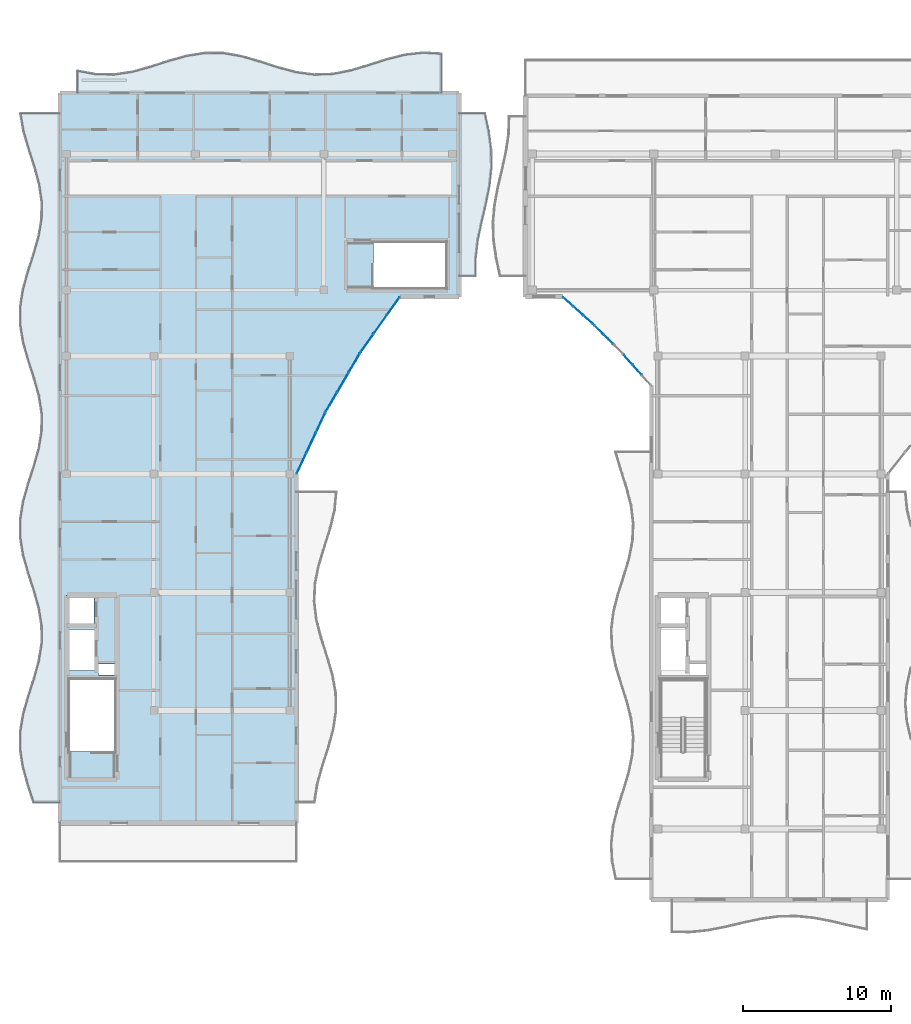
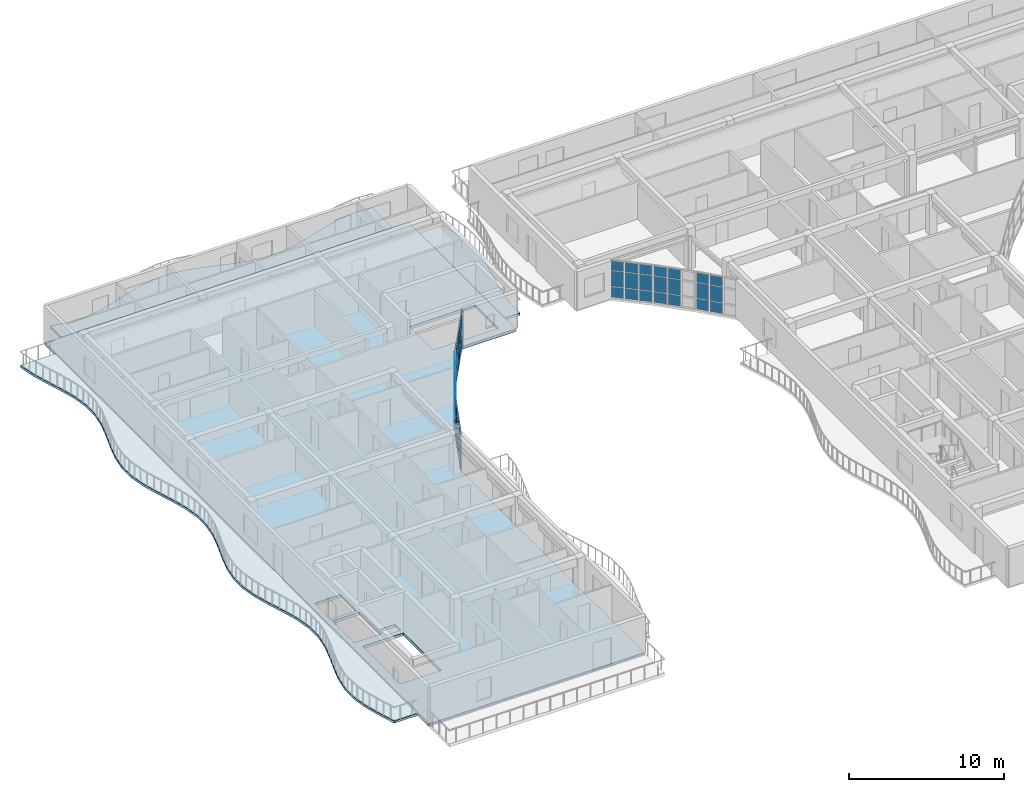
# One storey, part 23 of 68: 48 plates, 4 slabs, 6 elements without a shape of their own.
"""IFC4 building model written with IfcOpenShell, lengths in metres."""

from ifc_helpers import new_model, si_unit, direction, frame, origin, origin_2d, place, context, subcontext, project, spatial, polyline, rectangle, outline, extrude, material, layer, layer_set, type_object, element, aggregate, save


model = new_model("IFC4")

# Units and contexts
model_context = context("Model", 3, precision=1e-05, world=origin(), true_north=direction((0.0, 1.0)))
body_context = subcontext(model_context, "Body", "Model", "MODEL_VIEW")
ifc_project = project(units=[si_unit("LENGTHUNIT", "METRE"), si_unit("AREAUNIT", "SQUARE_METRE"), si_unit("VOLUMEUNIT", "CUBIC_METRE"), si_unit("PLANEANGLEUNIT", "RADIAN"), si_unit("MASSUNIT", "GRAM", prefix="KILO")], contexts=[model_context])

# Site, building, storey
site_placement = place(None, origin())
site = spatial("IfcSite", under=ifc_project, at=site_placement, CompositionType="ELEMENT")
building_placement = place(site_placement, origin())
building = spatial("IfcBuilding", under=site, at=building_placement, Name="Keldmere Railside Commons", CompositionType="ELEMENT")
storey_placement = place(building_placement, frame((0.0, 0.0, 23.360107421875)))
storey = spatial("IfcBuildingStorey", under=building, at=storey_placement, Name="L07", CompositionType="ELEMENT", Elevation=23.360107421875)

# Curtain wall, plates
ifc_material_1 = material(Name="Thermally Broken Aluminium", Category="aluminium")
ifc_layer_1 = layer(ifc_material_1, 0.159912109375, Name="Court Chord Wintergarden CW 4800x2850")
ifc_layer_set_1 = layer_set([ifc_layer_1], Name="Thermally Broken Aluminium")
curtain_wall_type_1 = type_object("IfcCurtainWallType", Name="Court Chord Wintergarden CW 4800x2850", PredefinedType="NOTDEFINED", material=ifc_layer_set_1)
curtain_wall_1_placement = place(storey_placement, origin())
curtain_wall_1 = element("IfcCurtainWall", 1, at=curtain_wall_1_placement, inside=storey, type_object=curtain_wall_type_1, Name="CW-12 CW-L07-022", PredefinedType="NOTDEFINED")
ifc_material_2 = material(Name="Insulated Aluminium Spandrel Panel", Category="aluminium")
ifc_layer_2 = layer(ifc_material_2, 0.0439453125, Name="Insulated Ocher Spandrel Panel 44")
ifc_layer_set_2 = layer_set([ifc_layer_2], Name="Insulated Aluminium Spandrel Panel")
plate_type_1 = type_object("IfcPlateType", Name="Insulated Ocher Spandrel Panel 44", PredefinedType="CURTAIN_PANEL", material=ifc_layer_set_2)
plate_1_placement = place(storey_placement, frame((25.636474609375, 91.48779296875, 0.06494140625), z_axis=(0.0, 0.0, 1.0), x_axis=(-0.424759442264, -0.905306255478, 0.0)))
plate_1 = element("IfcPlate", 2, at=plate_1_placement, type_object=plate_type_1, Name="CW-12 panel 1.1", PredefinedType="CURTAIN_PANEL", context=body_context, shape_type="SweptSolid", body=[
    extrude(rectangle(XDim=1.449951171875, YDim=0.0439453125, at=origin_2d()), origin(), (0.0, 0.0, 1.0), 0.802490234375),
])
plate_2_placement = place(storey_placement, frame((25.636474609375, 91.48779296875, 0.932373046875), z_axis=(0.0, 0.0, 1.0), x_axis=(-0.424759442264, -0.905306255478, 0.0)))
plate_2 = element("IfcPlate", 3, at=plate_2_placement, type_object=plate_type_1, Name="CW-12 panel 1.2", PredefinedType="CURTAIN_PANEL", context=body_context, shape_type="SweptSolid", body=[
    extrude(rectangle(XDim=1.449951171875, YDim=0.0439453125, at=origin_2d()), origin(), (0.0, 0.0, 1.0), 1.18505859375),
])
plate_3_placement = place(storey_placement, frame((25.636474609375, 91.48779296875, 2.182373046875), z_axis=(0.0, 0.0, 1.0), x_axis=(-0.424759442264, -0.905306255478, 0.0)))
plate_3 = element("IfcPlate", 4, at=plate_3_placement, type_object=plate_type_1, Name="CW-12 panel 1.3", PredefinedType="CURTAIN_PANEL", context=body_context, shape_type="SweptSolid", body=[
    extrude(rectangle(XDim=1.449951171875, YDim=0.0439453125, at=origin_2d()), origin(), (0.0, 0.0, 1.0), 0.732421875),
])
plate_4_placement = place(storey_placement, frame((24.986083984375, 90.1015625, 0.06494140625), z_axis=(0.0, 0.0, 1.0), x_axis=(-0.424759442264, -0.905306255478, 0.0)))
plate_4 = element("IfcPlate", 5, at=plate_4_placement, type_object=plate_type_1, Name="CW-12 panel 2.1", PredefinedType="CURTAIN_PANEL", context=body_context, shape_type="SweptSolid", body=[
    extrude(rectangle(XDim=1.482421875, YDim=0.0439453125, at=origin_2d()), origin(), (0.0, 0.0, 1.0), 0.802490234375),
])
plate_5_placement = place(storey_placement, frame((24.986083984375, 90.1015625, 0.932373046875), z_axis=(0.0, 0.0, 1.0), x_axis=(-0.424759442264, -0.905306255478, 0.0)))
plate_5 = element("IfcPlate", 6, at=plate_5_placement, type_object=plate_type_1, Name="CW-12 panel 2.2", PredefinedType="CURTAIN_PANEL", context=body_context, shape_type="SweptSolid", body=[
    extrude(rectangle(XDim=1.482421875, YDim=0.0439453125, at=origin_2d()), origin(), (0.0, 0.0, 1.0), 1.18505859375),
])
plate_6_placement = place(storey_placement, frame((24.986083984375, 90.1015625, 2.182373046875), z_axis=(0.0, 0.0, 1.0), x_axis=(-0.424759442264, -0.905306255478, 0.0)))
plate_6 = element("IfcPlate", 7, at=plate_6_placement, type_object=plate_type_1, Name="CW-12 panel 2.3", PredefinedType="CURTAIN_PANEL", context=body_context, shape_type="SweptSolid", body=[
    extrude(rectangle(XDim=1.482421875, YDim=0.0439453125, at=origin_2d()), origin(), (0.0, 0.0, 1.0), 0.732421875),
])
plate_7_placement = place(storey_placement, frame((24.33544921875, 88.71533203125, 0.06494140625), z_axis=(0.0, 0.0, 1.0), x_axis=(-0.424759442264, -0.905306255478, 0.0)))
plate_7 = element("IfcPlate", 8, at=plate_7_placement, type_object=plate_type_1, Name="CW-12 panel 3.1", PredefinedType="CURTAIN_PANEL", context=body_context, shape_type="SweptSolid", body=[
    extrude(rectangle(XDim=1.449951171875, YDim=0.0439453125, at=origin_2d()), origin(), (0.0, 0.0, 1.0), 0.802490234375),
])
plate_8_placement = place(storey_placement, frame((24.33544921875, 88.71533203125, 0.932373046875), z_axis=(0.0, 0.0, 1.0), x_axis=(-0.424759442264, -0.905306255478, 0.0)))
plate_8 = element("IfcPlate", 9, at=plate_8_placement, type_object=plate_type_1, Name="CW-12 panel 3.2", PredefinedType="CURTAIN_PANEL", context=body_context, shape_type="SweptSolid", body=[
    extrude(rectangle(XDim=1.449951171875, YDim=0.0439453125, at=origin_2d()), origin(), (0.0, 0.0, 1.0), 1.18505859375),
])
plate_9_placement = place(storey_placement, frame((24.33544921875, 88.71533203125, 2.182373046875), z_axis=(0.0, 0.0, 1.0), x_axis=(-0.424759442264, -0.905306255478, 0.0)))
plate_9 = element("IfcPlate", 10, at=plate_9_placement, type_object=plate_type_1, Name="CW-12 panel 3.3", PredefinedType="CURTAIN_PANEL", context=body_context, shape_type="SweptSolid", body=[
    extrude(rectangle(XDim=1.449951171875, YDim=0.0439453125, at=origin_2d()), origin(), (0.0, 0.0, 1.0), 0.732421875),
])
aggregate(curtain_wall_1, [plate_1, plate_2, plate_3, plate_4, plate_5, plate_6, plate_7, plate_8, plate_9])

curtain_wall_2_placement = place(storey_placement, origin())
curtain_wall_2 = element("IfcCurtainWall", 11, at=curtain_wall_2_placement, inside=storey, type_object=curtain_wall_type_1, Name="CW-12 CW-L07-024", PredefinedType="NOTDEFINED")
plate_10_placement = place(storey_placement, frame((30.54248046875, 99.355712890625, 0.06494140625), z_axis=(0.0, 0.0, 1.0), x_axis=(-0.578913327753, -0.815389084395, 0.0)))
plate_10 = element("IfcPlate", 12, at=plate_10_placement, type_object=plate_type_1, Name="CW-12 panel 1.1", PredefinedType="CURTAIN_PANEL", context=body_context, shape_type="SweptSolid", body=[
    extrude(rectangle(XDim=1.4501953125, YDim=0.0439453125, at=origin_2d()), origin(), (0.0, 0.0, 1.0), 0.802490234375),
])
plate_11_placement = place(storey_placement, frame((30.54248046875, 99.355712890625, 0.932373046875), z_axis=(0.0, 0.0, 1.0), x_axis=(-0.578913327753, -0.815389084395, 0.0)))
plate_11 = element("IfcPlate", 13, at=plate_11_placement, type_object=plate_type_1, Name="CW-12 panel 1.2", PredefinedType="CURTAIN_PANEL", context=body_context, shape_type="SweptSolid", body=[
    extrude(rectangle(XDim=1.4501953125, YDim=0.0439453125, at=origin_2d()), origin(), (0.0, 0.0, 1.0), 1.18505859375),
])
plate_12_placement = place(storey_placement, frame((30.54248046875, 99.355712890625, 2.182373046875), z_axis=(0.0, 0.0, 1.0), x_axis=(-0.578913327753, -0.815389084395, 0.0)))
plate_12 = element("IfcPlate", 14, at=plate_12_placement, type_object=plate_type_1, Name="CW-12 panel 1.3", PredefinedType="CURTAIN_PANEL", context=body_context, shape_type="SweptSolid", body=[
    extrude(rectangle(XDim=1.4501953125, YDim=0.0439453125, at=origin_2d()), origin(), (0.0, 0.0, 1.0), 0.732421875),
])
plate_13_placement = place(storey_placement, frame((29.656005859375, 98.10693359375, 0.06494140625), z_axis=(0.0, 0.0, 1.0), x_axis=(-0.578913327753, -0.815389084395, 0.0)))
plate_13 = element("IfcPlate", 15, at=plate_13_placement, type_object=plate_type_1, Name="CW-12 panel 2.1", PredefinedType="CURTAIN_PANEL", context=body_context, shape_type="SweptSolid", body=[
    extrude(rectangle(XDim=1.482666015625, YDim=0.0439453125, at=origin_2d()), origin(), (0.0, 0.0, 1.0), 0.802490234375),
])
plate_14_placement = place(storey_placement, frame((29.656005859375, 98.10693359375, 0.932373046875), z_axis=(0.0, 0.0, 1.0), x_axis=(-0.578913327753, -0.815389084395, 0.0)))
plate_14 = element("IfcPlate", 16, at=plate_14_placement, type_object=plate_type_1, Name="CW-12 panel 2.2", PredefinedType="CURTAIN_PANEL", context=body_context, shape_type="SweptSolid", body=[
    extrude(rectangle(XDim=1.482666015625, YDim=0.0439453125, at=origin_2d()), origin(), (0.0, 0.0, 1.0), 1.18505859375),
])
plate_15_placement = place(storey_placement, frame((29.656005859375, 98.10693359375, 2.182373046875), z_axis=(0.0, 0.0, 1.0), x_axis=(-0.578913327753, -0.815389084395, 0.0)))
plate_15 = element("IfcPlate", 17, at=plate_15_placement, type_object=plate_type_1, Name="CW-12 panel 2.3", PredefinedType="CURTAIN_PANEL", context=body_context, shape_type="SweptSolid", body=[
    extrude(rectangle(XDim=1.482666015625, YDim=0.0439453125, at=origin_2d()), origin(), (0.0, 0.0, 1.0), 0.732421875),
])
plate_16_placement = place(storey_placement, frame((28.769287109375, 96.858154296875, 0.06494140625), z_axis=(0.0, 0.0, 1.0), x_axis=(-0.578913327753, -0.815389084395, 0.0)))
plate_16 = element("IfcPlate", 18, at=plate_16_placement, type_object=plate_type_1, Name="CW-12 panel 3.1", PredefinedType="CURTAIN_PANEL", context=body_context, shape_type="SweptSolid", body=[
    extrude(rectangle(XDim=1.4501953125, YDim=0.0439453125, at=origin_2d()), origin(), (0.0, 0.0, 1.0), 0.802490234375),
])
plate_17_placement = place(storey_placement, frame((28.769287109375, 96.858154296875, 0.932373046875), z_axis=(0.0, 0.0, 1.0), x_axis=(-0.578913327753, -0.815389084395, 0.0)))
plate_17 = element("IfcPlate", 19, at=plate_17_placement, type_object=plate_type_1, Name="CW-12 panel 3.2", PredefinedType="CURTAIN_PANEL", context=body_context, shape_type="SweptSolid", body=[
    extrude(rectangle(XDim=1.4501953125, YDim=0.0439453125, at=origin_2d()), origin(), (0.0, 0.0, 1.0), 1.18505859375),
])
plate_18_placement = place(storey_placement, frame((28.769287109375, 96.858154296875, 2.182373046875), z_axis=(0.0, 0.0, 1.0), x_axis=(-0.578913327753, -0.815389084395, 0.0)))
plate_18 = element("IfcPlate", 20, at=plate_18_placement, type_object=plate_type_1, Name="CW-12 panel 3.3", PredefinedType="CURTAIN_PANEL", context=body_context, shape_type="SweptSolid", body=[
    extrude(rectangle(XDim=1.4501953125, YDim=0.0439453125, at=origin_2d()), origin(), (0.0, 0.0, 1.0), 0.732421875),
])
aggregate(curtain_wall_2, [plate_10, plate_11, plate_12, plate_13, plate_14, plate_15, plate_16, plate_17, plate_18])

curtain_wall_3_placement = place(storey_placement, origin())
curtain_wall_3 = element("IfcCurtainWall", 21, at=curtain_wall_3_placement, inside=storey, type_object=curtain_wall_type_1, Name="CW-12 CW-L07-070", PredefinedType="NOTDEFINED")
plate_19_placement = place(storey_placement, frame((43.74462890625, 98.435791015625, 0.06494140625), z_axis=(0.0, 0.0, 1.0), x_axis=(-0.744557333277, 0.667558519879, 0.0)))
plate_19 = element("IfcPlate", 22, at=plate_19_placement, type_object=plate_type_1, Name="CW-12 panel 1.1", PredefinedType="CURTAIN_PANEL", context=body_context, shape_type="SweptSolid", body=[
    extrude(rectangle(XDim=0.84619140625, YDim=0.0439453125, at=origin_2d()), origin(), (0.0, 0.0, 1.0), 0.802490234375),
])
plate_20_placement = place(storey_placement, frame((43.74462890625, 98.435791015625, 0.932373046875), z_axis=(0.0, 0.0, 1.0), x_axis=(-0.744557333277, 0.667558519879, 0.0)))
plate_20 = element("IfcPlate", 23, at=plate_20_placement, type_object=plate_type_1, Name="CW-12 panel 1.2", PredefinedType="CURTAIN_PANEL", context=body_context, shape_type="SweptSolid", body=[
    extrude(rectangle(XDim=0.84619140625, YDim=0.0439453125, at=origin_2d()), origin(), (0.0, 0.0, 1.0), 1.18505859375),
])
plate_21_placement = place(storey_placement, frame((43.74462890625, 98.435791015625, 2.182373046875), z_axis=(0.0, 0.0, 1.0), x_axis=(-0.744557333277, 0.667558519879, 0.0)))
plate_21 = element("IfcPlate", 24, at=plate_21_placement, type_object=plate_type_1, Name="CW-12 panel 1.3", PredefinedType="CURTAIN_PANEL", context=body_context, shape_type="SweptSolid", body=[
    extrude(rectangle(XDim=0.84619140625, YDim=0.0439453125, at=origin_2d()), origin(), (0.0, 0.0, 1.0), 0.732421875),
])
plate_22_placement = place(storey_placement, frame((43.053955078125, 99.054931640625, 0.06494140625), z_axis=(0.0, 0.0, 1.0), x_axis=(-0.744557333277, 0.667558519879, 0.0)))
plate_22 = element("IfcPlate", 25, at=plate_22_placement, type_object=plate_type_1, Name="CW-12 panel 2.1", PredefinedType="CURTAIN_PANEL", context=body_context, shape_type="SweptSolid", body=[
    extrude(rectangle(XDim=0.878662109375, YDim=0.0439453125, at=origin_2d()), origin(), (0.0, 0.0, 1.0), 0.802490234375),
])
plate_23_placement = place(storey_placement, frame((43.053955078125, 99.054931640625, 0.932373046875), z_axis=(0.0, 0.0, 1.0), x_axis=(-0.744557333277, 0.667558519879, 0.0)))
plate_23 = element("IfcPlate", 26, at=plate_23_placement, type_object=plate_type_1, Name="CW-12 panel 2.2", PredefinedType="CURTAIN_PANEL", context=body_context, shape_type="SweptSolid", body=[
    extrude(rectangle(XDim=0.878662109375, YDim=0.0439453125, at=origin_2d()), origin(), (0.0, 0.0, 1.0), 1.18505859375),
])
plate_24_placement = place(storey_placement, frame((43.053955078125, 99.054931640625, 2.182373046875), z_axis=(0.0, 0.0, 1.0), x_axis=(-0.744557333277, 0.667558519879, 0.0)))
plate_24 = element("IfcPlate", 27, at=plate_24_placement, type_object=plate_type_1, Name="CW-12 panel 2.3", PredefinedType="CURTAIN_PANEL", context=body_context, shape_type="SweptSolid", body=[
    extrude(rectangle(XDim=0.878662109375, YDim=0.0439453125, at=origin_2d()), origin(), (0.0, 0.0, 1.0), 0.732421875),
])
plate_25_placement = place(storey_placement, frame((42.363525390625, 99.674072265625, 0.06494140625), z_axis=(0.0, 0.0, 1.0), x_axis=(-0.744557333277, 0.667558519879, 0.0)))
plate_25 = element("IfcPlate", 28, at=plate_25_placement, type_object=plate_type_1, Name="CW-12 panel 3.1", PredefinedType="CURTAIN_PANEL", context=body_context, shape_type="SweptSolid", body=[
    extrude(rectangle(XDim=0.84619140625, YDim=0.0439453125, at=origin_2d()), origin(), (0.0, 0.0, 1.0), 0.802490234375),
])
plate_26_placement = place(storey_placement, frame((42.363525390625, 99.674072265625, 0.932373046875), z_axis=(0.0, 0.0, 1.0), x_axis=(-0.744557333277, 0.667558519879, 0.0)))
plate_26 = element("IfcPlate", 29, at=plate_26_placement, type_object=plate_type_1, Name="CW-12 panel 3.2", PredefinedType="CURTAIN_PANEL", context=body_context, shape_type="SweptSolid", body=[
    extrude(rectangle(XDim=0.84619140625, YDim=0.0439453125, at=origin_2d()), origin(), (0.0, 0.0, 1.0), 1.18505859375),
])
plate_27_placement = place(storey_placement, frame((42.363525390625, 99.674072265625, 2.182373046875), z_axis=(0.0, 0.0, 1.0), x_axis=(-0.744557333277, 0.667558519879, 0.0)))
plate_27 = element("IfcPlate", 30, at=plate_27_placement, type_object=plate_type_1, Name="CW-12 panel 3.3", PredefinedType="CURTAIN_PANEL", context=body_context, shape_type="SweptSolid", body=[
    extrude(rectangle(XDim=0.84619140625, YDim=0.0439453125, at=origin_2d()), origin(), (0.0, 0.0, 1.0), 0.732421875),
])
aggregate(curtain_wall_3, [plate_19, plate_20, plate_21, plate_22, plate_23, plate_24, plate_25, plate_26, plate_27])

curtain_wall_4_placement = place(storey_placement, origin())
curtain_wall_4 = element("IfcCurtainWall", 31, at=curtain_wall_4_placement, inside=storey, type_object=curtain_wall_type_1, Name="CW-12 CW-L07-072", PredefinedType="NOTDEFINED")
plate_28_placement = place(storey_placement, frame((47.054931640625, 95.053955078125, 0.06494140625), z_axis=(0.0, 0.0, 1.0), x_axis=(-0.667558519879, 0.744557333277, 0.0)))
plate_28 = element("IfcPlate", 32, at=plate_28_placement, type_object=plate_type_1, Name="CW-12 panel 2.1", PredefinedType="CURTAIN_PANEL", context=body_context, shape_type="SweptSolid", body=[
    extrude(rectangle(XDim=0.878662109375, YDim=0.0439453125, at=origin_2d()), origin(), (0.0, 0.0, 1.0), 0.802490234375),
])
plate_29_placement = place(storey_placement, frame((47.054931640625, 95.053955078125, 0.932373046875), z_axis=(0.0, 0.0, 1.0), x_axis=(-0.667558519879, 0.744557333277, 0.0)))
plate_29 = element("IfcPlate", 33, at=plate_29_placement, type_object=plate_type_1, Name="CW-12 panel 2.2", PredefinedType="CURTAIN_PANEL", context=body_context, shape_type="SweptSolid", body=[
    extrude(rectangle(XDim=0.878662109375, YDim=0.0439453125, at=origin_2d()), origin(), (0.0, 0.0, 1.0), 1.18505859375),
])
plate_30_placement = place(storey_placement, frame((47.054931640625, 95.053955078125, 2.182373046875), z_axis=(0.0, 0.0, 1.0), x_axis=(-0.667558519879, 0.744557333277, 0.0)))
plate_30 = element("IfcPlate", 34, at=plate_30_placement, type_object=plate_type_1, Name="CW-12 panel 2.3", PredefinedType="CURTAIN_PANEL", context=body_context, shape_type="SweptSolid", body=[
    extrude(rectangle(XDim=0.878662109375, YDim=0.0439453125, at=origin_2d()), origin(), (0.0, 0.0, 1.0), 0.732421875),
])
plate_31_placement = place(storey_placement, frame((46.435791015625, 95.74462890625, 0.06494140625), z_axis=(0.0, 0.0, 1.0), x_axis=(-0.667558519879, 0.744557333277, 0.0)))
plate_31 = element("IfcPlate", 35, at=plate_31_placement, type_object=plate_type_1, Name="CW-12 panel 3.1", PredefinedType="CURTAIN_PANEL", context=body_context, shape_type="SweptSolid", body=[
    extrude(rectangle(XDim=0.84619140625, YDim=0.0439453125, at=origin_2d()), origin(), (0.0, 0.0, 1.0), 0.802490234375),
])
plate_32_placement = place(storey_placement, frame((46.435791015625, 95.74462890625, 0.932373046875), z_axis=(0.0, 0.0, 1.0), x_axis=(-0.667558519879, 0.744557333277, 0.0)))
plate_32 = element("IfcPlate", 36, at=plate_32_placement, type_object=plate_type_1, Name="CW-12 panel 3.2", PredefinedType="CURTAIN_PANEL", context=body_context, shape_type="SweptSolid", body=[
    extrude(rectangle(XDim=0.84619140625, YDim=0.0439453125, at=origin_2d()), origin(), (0.0, 0.0, 1.0), 1.18505859375),
])
plate_33_placement = place(storey_placement, frame((46.435791015625, 95.74462890625, 2.182373046875), z_axis=(0.0, 0.0, 1.0), x_axis=(-0.667558519879, 0.744557333277, 0.0)))
plate_33 = element("IfcPlate", 37, at=plate_33_placement, type_object=plate_type_1, Name="CW-12 panel 3.3", PredefinedType="CURTAIN_PANEL", context=body_context, shape_type="SweptSolid", body=[
    extrude(rectangle(XDim=0.84619140625, YDim=0.0439453125, at=origin_2d()), origin(), (0.0, 0.0, 1.0), 0.732421875),
])
aggregate(curtain_wall_4, [plate_28, plate_29, plate_30, plate_31, plate_32, plate_33])

ifc_layer_3 = layer(ifc_material_1, 0.159912109375, Name="Court Chord Wintergarden CW 5400x2850")
ifc_layer_set_3 = layer_set([ifc_layer_3], Name="Thermally Broken Aluminium")
curtain_wall_type_2 = type_object("IfcCurtainWallType", Name="Court Chord Wintergarden CW 5400x2850", PredefinedType="NOTDEFINED", material=ifc_layer_set_3)
curtain_wall_5_placement = place(storey_placement, origin())
curtain_wall_5 = element("IfcCurtainWall", 38, at=curtain_wall_5_placement, inside=storey, type_object=curtain_wall_type_2, Name="CW-13 CW-L07-023", PredefinedType="NOTDEFINED")
ifc_layer_4 = layer(ifc_material_2, 0.050048828125, Name="Insulated Terracotta Spandrel Panel 50")
ifc_layer_set_4 = layer_set([ifc_layer_4], Name="Insulated Aluminium Spandrel Panel")
plate_type_2 = type_object("IfcPlateType", Name="Insulated Terracotta Spandrel Panel 50", PredefinedType="CURTAIN_PANEL", material=ifc_layer_set_4)
plate_34_placement = place(storey_placement, frame((27.913818359375, 95.531494140625, 0.06494140625), z_axis=(0.0, 0.0, 1.0), x_axis=(-0.503911193272, -0.86375546846, 0.0)))
plate_34 = element("IfcPlate", 39, at=plate_34_placement, type_object=plate_type_2, Name="CW-13 panel 1.1", PredefinedType="CURTAIN_PANEL", context=body_context, shape_type="SweptSolid", body=[
    extrude(rectangle(XDim=1.450439453125, YDim=0.050048828125, at=origin_2d()), origin(), (0.0, 0.0, 1.0), 0.802490234375),
])
plate_35_placement = place(storey_placement, frame((27.913818359375, 95.531494140625, 0.932373046875), z_axis=(0.0, 0.0, 1.0), x_axis=(-0.503911193272, -0.86375546846, 0.0)))
plate_35 = element("IfcPlate", 40, at=plate_35_placement, type_object=plate_type_2, Name="CW-13 panel 1.2", PredefinedType="CURTAIN_PANEL", context=body_context, shape_type="SweptSolid", body=[
    extrude(rectangle(XDim=1.450439453125, YDim=0.050048828125, at=origin_2d()), origin(), (0.0, 0.0, 1.0), 1.18505859375),
])
plate_36_placement = place(storey_placement, frame((27.913818359375, 95.531494140625, 2.182373046875), z_axis=(0.0, 0.0, 1.0), x_axis=(-0.503911193272, -0.86375546846, 0.0)))
plate_36 = element("IfcPlate", 41, at=plate_36_placement, type_object=plate_type_2, Name="CW-13 panel 1.3", PredefinedType="CURTAIN_PANEL", context=body_context, shape_type="SweptSolid", body=[
    extrude(rectangle(XDim=1.450439453125, YDim=0.050048828125, at=origin_2d()), origin(), (0.0, 0.0, 1.0), 0.732421875),
])
plate_37_placement = place(storey_placement, frame((27.14208984375, 94.20849609375, 0.06494140625), z_axis=(0.0, 0.0, 1.0), x_axis=(-0.503911193272, -0.86375546846, 0.0)))
plate_37 = element("IfcPlate", 42, at=plate_37_placement, type_object=plate_type_2, Name="CW-13 panel 2.1", PredefinedType="CURTAIN_PANEL", context=body_context, shape_type="SweptSolid", body=[
    extrude(rectangle(XDim=1.48291015625, YDim=0.050048828125, at=origin_2d()), origin(), (0.0, 0.0, 1.0), 0.802490234375),
])
plate_38_placement = place(storey_placement, frame((27.14208984375, 94.20849609375, 0.932373046875), z_axis=(0.0, 0.0, 1.0), x_axis=(-0.503911193272, -0.86375546846, 0.0)))
plate_38 = element("IfcPlate", 43, at=plate_38_placement, type_object=plate_type_2, Name="CW-13 panel 2.2", PredefinedType="CURTAIN_PANEL", context=body_context, shape_type="SweptSolid", body=[
    extrude(rectangle(XDim=1.48291015625, YDim=0.050048828125, at=origin_2d()), origin(), (0.0, 0.0, 1.0), 1.18505859375),
])
plate_39_placement = place(storey_placement, frame((27.14208984375, 94.20849609375, 2.182373046875), z_axis=(0.0, 0.0, 1.0), x_axis=(-0.503911193272, -0.86375546846, 0.0)))
plate_39 = element("IfcPlate", 44, at=plate_39_placement, type_object=plate_type_2, Name="CW-13 panel 2.3", PredefinedType="CURTAIN_PANEL", context=body_context, shape_type="SweptSolid", body=[
    extrude(rectangle(XDim=1.48291015625, YDim=0.050048828125, at=origin_2d()), origin(), (0.0, 0.0, 1.0), 0.732421875),
])
plate_40_placement = place(storey_placement, frame((26.3701171875, 92.885498046875, 0.06494140625), z_axis=(0.0, 0.0, 1.0), x_axis=(-0.503911193272, -0.86375546846, 0.0)))
plate_40 = element("IfcPlate", 45, at=plate_40_placement, type_object=plate_type_2, Name="CW-13 panel 3.1", PredefinedType="CURTAIN_PANEL", context=body_context, shape_type="SweptSolid", body=[
    extrude(rectangle(XDim=1.450439453125, YDim=0.050048828125, at=origin_2d()), origin(), (0.0, 0.0, 1.0), 0.802490234375),
])
plate_41_placement = place(storey_placement, frame((26.3701171875, 92.885498046875, 0.932373046875), z_axis=(0.0, 0.0, 1.0), x_axis=(-0.503911193272, -0.86375546846, 0.0)))
plate_41 = element("IfcPlate", 46, at=plate_41_placement, type_object=plate_type_2, Name="CW-13 panel 3.2", PredefinedType="CURTAIN_PANEL", context=body_context, shape_type="SweptSolid", body=[
    extrude(rectangle(XDim=1.450439453125, YDim=0.050048828125, at=origin_2d()), origin(), (0.0, 0.0, 1.0), 1.18505859375),
])
plate_42_placement = place(storey_placement, frame((26.3701171875, 92.885498046875, 2.182373046875), z_axis=(0.0, 0.0, 1.0), x_axis=(-0.503911193272, -0.86375546846, 0.0)))
plate_42 = element("IfcPlate", 47, at=plate_42_placement, type_object=plate_type_2, Name="CW-13 panel 3.3", PredefinedType="CURTAIN_PANEL", context=body_context, shape_type="SweptSolid", body=[
    extrude(rectangle(XDim=1.450439453125, YDim=0.050048828125, at=origin_2d()), origin(), (0.0, 0.0, 1.0), 0.732421875),
])
aggregate(curtain_wall_5, [plate_34, plate_35, plate_36, plate_37, plate_38, plate_39, plate_40, plate_41, plate_42])

curtain_wall_6_placement = place(storey_placement, origin())
curtain_wall_6 = element("IfcCurtainWall", 48, at=curtain_wall_6_placement, inside=storey, type_object=curtain_wall_type_2, Name="CW-13 CW-L07-071", PredefinedType="NOTDEFINED")
plate_43_placement = place(storey_placement, frame((45.10888671875, 97.10888671875, 0.06494140625), z_axis=(0.0, 0.0, 1.0), x_axis=(-0.707106781187, 0.707106781187, 0.0)))
plate_43 = element("IfcPlate", 49, at=plate_43_placement, type_object=plate_type_2, Name="CW-13 panel 2.1", PredefinedType="CURTAIN_PANEL", context=body_context, shape_type="SweptSolid", body=[
    extrude(rectangle(XDim=0.878662109375, YDim=0.050048828125, at=origin_2d()), origin(), (0.0, 0.0, 1.0), 0.802490234375),
])
plate_44_placement = place(storey_placement, frame((45.10888671875, 97.10888671875, 0.932373046875), z_axis=(0.0, 0.0, 1.0), x_axis=(-0.707106781187, 0.707106781187, 0.0)))
plate_44 = element("IfcPlate", 50, at=plate_44_placement, type_object=plate_type_2, Name="CW-13 panel 2.2", PredefinedType="CURTAIN_PANEL", context=body_context, shape_type="SweptSolid", body=[
    extrude(rectangle(XDim=0.878662109375, YDim=0.050048828125, at=origin_2d()), origin(), (0.0, 0.0, 1.0), 1.18505859375),
])
plate_45_placement = place(storey_placement, frame((45.10888671875, 97.10888671875, 2.182373046875), z_axis=(0.0, 0.0, 1.0), x_axis=(-0.707106781187, 0.707106781187, 0.0)))
plate_45 = element("IfcPlate", 51, at=plate_45_placement, type_object=plate_type_2, Name="CW-13 panel 2.3", PredefinedType="CURTAIN_PANEL", context=body_context, shape_type="SweptSolid", body=[
    extrude(rectangle(XDim=0.878662109375, YDim=0.050048828125, at=origin_2d()), origin(), (0.0, 0.0, 1.0), 0.732421875),
])
plate_46_placement = place(storey_placement, frame((44.453125, 97.764892578125, 0.06494140625), z_axis=(0.0, 0.0, 1.0), x_axis=(-0.707106781187, 0.707106781187, 0.0)))
plate_46 = element("IfcPlate", 52, at=plate_46_placement, type_object=plate_type_2, Name="CW-13 panel 3.1", PredefinedType="CURTAIN_PANEL", context=body_context, shape_type="SweptSolid", body=[
    extrude(rectangle(XDim=0.84619140625, YDim=0.050048828125, at=origin_2d()), origin(), (0.0, 0.0, 1.0), 0.802490234375),
])
plate_47_placement = place(storey_placement, frame((44.453125, 97.764892578125, 0.932373046875), z_axis=(0.0, 0.0, 1.0), x_axis=(-0.707106781187, 0.707106781187, 0.0)))
plate_47 = element("IfcPlate", 53, at=plate_47_placement, type_object=plate_type_2, Name="CW-13 panel 3.2", PredefinedType="CURTAIN_PANEL", context=body_context, shape_type="SweptSolid", body=[
    extrude(rectangle(XDim=0.84619140625, YDim=0.050048828125, at=origin_2d()), origin(), (0.0, 0.0, 1.0), 1.18505859375),
])
plate_48_placement = place(storey_placement, frame((44.453125, 97.764892578125, 2.182373046875), z_axis=(0.0, 0.0, 1.0), x_axis=(-0.707106781187, 0.707106781187, 0.0)))
plate_48 = element("IfcPlate", 54, at=plate_48_placement, type_object=plate_type_2, Name="CW-13 panel 3.3", PredefinedType="CURTAIN_PANEL", context=body_context, shape_type="SweptSolid", body=[
    extrude(rectangle(XDim=0.84619140625, YDim=0.050048828125, at=origin_2d()), origin(), (0.0, 0.0, 1.0), 0.732421875),
])
aggregate(curtain_wall_6, [plate_43, plate_44, plate_45, plate_46, plate_47, plate_48])

# Slabs
ifc_material_3 = material(Name="Concrete H-30 (C30/37)", Category="concrete")
ifc_layer_5 = layer(ifc_material_3, 0.219970703125, Name="Residential Flat Slab 220")
ifc_layer_set_5 = layer_set([ifc_layer_5], Name="Concrete H-30 (C30/37)")
slab_type_1 = type_object("IfcSlabType", Name="Residential Flat Slab 220", PredefinedType="FLOOR", material=ifc_layer_set_5)
slab_1_placement = place(storey_placement, frame((0.0, 0.0, -0.22021484375)))
element("IfcSlab", 55, at=slab_1_placement, inside=storey, type_object=slab_type_1, Name="FS-2 BLKD-L07-017", PredefinedType="FLOOR", context=body_context, shape_type="SweptSolid", body=[
    extrude(outline(polyline([(8.0, 64.39990234375), (24.0, 64.39990234375), (24.0, 88.0), (25.971923828125, 92.202880859375), (28.31201171875, 96.214111328125), (31.0, 100.0), (35.0, 100.0), (35.0, 113.800048828125), (8.0, 113.800048828125), (8.0, 64.39990234375)]), holes=[polyline([(11.675048828125, 69.22509765625), (8.675048828125, 69.22509765625), (8.675048828125, 74.074951171875), (11.675048828125, 74.074951171875), (11.675048828125, 69.22509765625)]), polyline([(11.699951171875, 74.419921875), (10.60009765625, 74.419921875), (10.60009765625, 75.159912109375), (11.699951171875, 75.159912109375), (11.699951171875, 74.419921875)]), polyline([(8.39990234375, 74.699951171875), (8.39990234375, 77.5), (10.39990234375, 77.5), (10.39990234375, 74.699951171875), (8.39990234375, 74.699951171875)]), polyline([(10.300048828125, 77.75), (8.39990234375, 77.75), (8.39990234375, 79.800048828125), (10.300048828125, 79.800048828125), (10.300048828125, 77.75)]), polyline([(29.22509765625, 103.625), (34.074951171875, 103.625), (34.074951171875, 100.625), (29.22509765625, 100.625), (29.22509765625, 103.625)])]), origin(), (0.0, 0.0, 1.0), 0.22021484375),
])
ifc_material_4 = material(Name="White Precast Concrete H-35 (C35/45)", Category="concrete")
ifc_layer_6 = layer(ifc_material_4, 0.179931640625, Name="Sinusoidal Wave Balcony Slab 180")
ifc_layer_set_6 = layer_set([ifc_layer_6], Name="White Precast Concrete H-35 (C35/45)")
slab_type_2 = type_object("IfcSlabType", Name="Sinusoidal Wave Balcony Slab 180", PredefinedType="FLOOR", material=ifc_layer_set_6)
slab_2_placement = place(storey_placement, frame((0.0, 0.0, -0.18017578125)))
element("IfcSlab", 56, at=slab_2_placement, inside=storey, type_object=slab_type_2, Name="WB-1 D L07 N Wave Balcony", PredefinedType="FLOOR", context=body_context, shape_type="SweptSolid", body=[
    extrude(outline(polyline([(9.199951171875, 113.800048828125), (10.429931640625, 113.800048828125), (11.659912109375, 113.800048828125), (12.889892578125, 113.800048828125), (14.1201171875, 113.800048828125), (15.35009765625, 113.800048828125), (16.580078125, 113.800048828125), (17.81005859375, 113.800048828125), (19.0400390625, 113.800048828125), (20.27001953125, 113.800048828125), (21.5, 113.800048828125), (22.72998046875, 113.800048828125), (23.9599609375, 113.800048828125), (25.18994140625, 113.800048828125), (26.419921875, 113.800048828125), (27.64990234375, 113.800048828125), (28.8798828125, 113.800048828125), (30.110107421875, 113.800048828125), (31.340087890625, 113.800048828125), (32.570068359375, 113.800048828125), (33.800048828125, 113.800048828125), (33.800048828125, 116.426513671875), (32.570068359375, 116.4970703125), (31.340087890625, 116.357421875), (30.110107421875, 116.047119140625), (28.8798828125, 115.6533203125), (27.64990234375, 115.28662109375), (26.419921875, 115.05029296875), (25.18994140625, 115.010498046875), (23.9599609375, 115.178955078125), (22.72998046875, 115.5078125), (21.5, 115.90478515625), (20.27001953125, 116.25830078125), (19.0400390625, 116.46875), (17.81005859375, 116.477294921875), (16.580078125, 116.28125), (15.35009765625, 115.935791015625), (14.1201171875, 115.5380859375), (12.889892578125, 115.199951171875), (11.659912109375, 115.0166015625), (10.429931640625, 115.039306640625), (9.199951171875, 115.261962890625), (9.199951171875, 113.800048828125)])), origin(), (0.0, 0.0, 1.0), 0.18017578125),
])
slab_3_placement = place(storey_placement, frame((0.0, 0.0, -0.18017578125)))
element("IfcSlab", 57, at=slab_3_placement, inside=storey, type_object=slab_type_2, Name="WB-1 D L07 CW Wave Balcony", PredefinedType="FLOOR", context=body_context, shape_type="SweptSolid", body=[
    extrude(outline(polyline([(8.0, 65.800048828125), (8.0, 66.994873046875), (8.0, 68.189697265625), (8.0, 69.384521484375), (8.0, 70.57958984375), (8.0, 71.7744140625), (8.0, 72.96923828125), (8.0, 74.1640625), (8.0, 75.35888671875), (8.0, 76.5537109375), (8.0, 77.748779296875), (8.0, 78.943603515625), (8.0, 80.138427734375), (8.0, 81.333251953125), (8.0, 82.5283203125), (8.0, 83.72314453125), (8.0, 84.91796875), (8.0, 86.11279296875), (8.0, 87.3076171875), (8.0, 88.502685546875), (8.0, 89.697509765625), (8.0, 90.892333984375), (8.0, 92.087158203125), (8.0, 93.281982421875), (8.0, 94.476806640625), (8.0, 95.671875), (8.0, 96.86669921875), (8.0, 98.0615234375), (8.0, 99.25634765625), (8.0, 100.451416015625), (8.0, 101.646240234375), (8.0, 102.841064453125), (8.0, 104.035888671875), (8.0, 105.230712890625), (8.0, 106.425537109375), (8.0, 107.62060546875), (8.0, 108.8154296875), (8.0, 110.01025390625), (8.0, 111.205078125), (8.0, 112.39990234375), (5.338134765625, 112.39990234375), (5.55029296875, 111.205078125), (5.8955078125, 110.01025390625), (6.281494140625, 108.8154296875), (6.60595703125, 107.62060546875), (6.78271484375, 106.425537109375), (6.764892578125, 105.230712890625), (6.556884765625, 104.035888671875), (6.21435546875, 102.841064453125), (5.828125, 101.646240234375), (5.500732421875, 100.451416015625), (5.3193359375, 99.25634765625), (5.33203125, 98.0615234375), (5.53564453125, 96.86669921875), (5.875732421875, 95.671875), (6.26220703125, 94.476806640625), (6.59228515625, 93.281982421875), (6.7783203125, 92.087158203125), (6.770751953125, 90.892333984375), (6.57177734375, 89.697509765625), (6.23388671875, 88.502685546875), (5.847412109375, 87.3076171875), (5.5146484375, 86.11279296875), (5.32421875, 84.91796875), (5.326416015625, 83.72314453125), (5.52099609375, 82.5283203125), (5.856201171875, 81.333251953125), (6.242919921875, 80.138427734375), (6.578125, 78.943603515625), (6.773193359375, 77.748779296875), (6.776123046875, 76.5537109375), (6.5859375, 75.35888671875), (6.25341796875, 74.1640625), (5.866943359375, 72.96923828125), (5.529052734375, 71.7744140625), (5.32958984375, 70.57958984375), (5.321533203125, 69.384521484375), (5.507080078125, 68.189697265625), (5.8369140625, 66.994873046875), (6.223388671875, 65.800048828125), (8.0, 65.800048828125)])), origin(), (0.0, 0.0, 1.0), 0.18017578125),
])
slab_4_placement = place(storey_placement, frame((0.0, 0.0, -0.18017578125)))
element("IfcSlab", 58, at=slab_4_placement, inside=storey, type_object=slab_type_2, Name="WB-1 D L07 WE Wave Balcony", PredefinedType="FLOOR", context=body_context, shape_type="SweptSolid", body=[
    extrude(outline(polyline([(36.118896484375, 101.39990234375), (36.1201171875, 102.622314453125), (36.2685546875, 103.844482421875), (36.52294921875, 105.066650390625), (36.8125, 106.288818359375), (37.05712890625, 107.510986328125), (37.188720703125, 108.7333984375), (37.17041015625, 109.95556640625), (37.0078125, 111.177734375), (36.745849609375, 112.39990234375), (35.0, 112.39990234375), (35.0, 111.177734375), (35.0, 109.95556640625), (35.0, 108.7333984375), (35.0, 107.510986328125), (35.0, 106.288818359375), (35.0, 105.066650390625), (35.0, 103.844482421875), (35.0, 102.622314453125), (35.0, 101.39990234375), (36.118896484375, 101.39990234375)])), origin(), (0.0, 0.0, 1.0), 0.18017578125),
])

save(model, "model.ifc")
